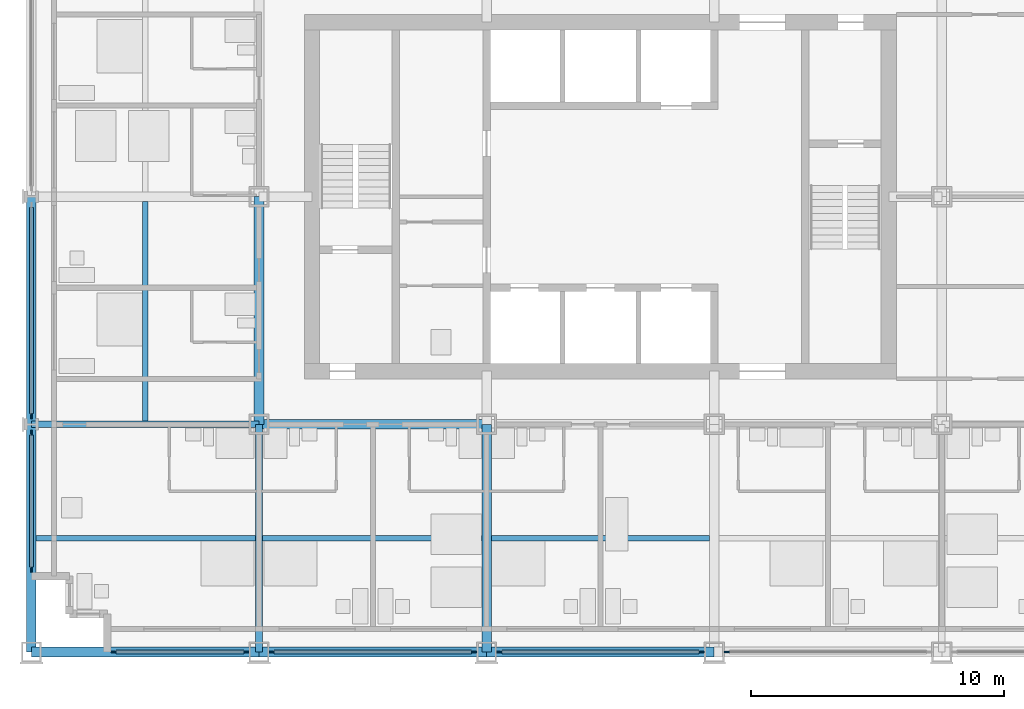
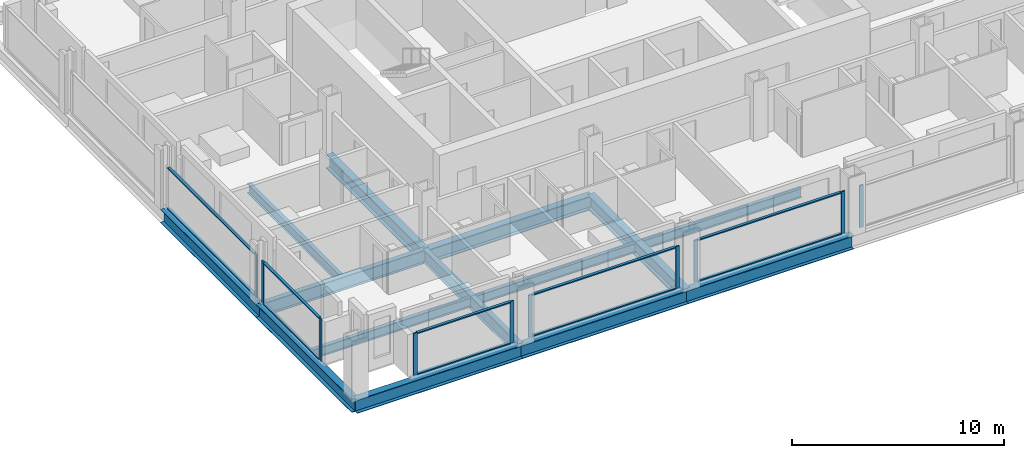
# One storey, part 2 of 18: 20 members, 14 beams, 6 elements without a shape of their own.
"""IFC4 building model written with IfcOpenShell, lengths in metres."""

from ifc_helpers import new_model, si_unit, direction, frame, origin, origin_2d, place, context, subcontext, project, spatial, rectangle, i_section, extrude, material, material_profile, profile_set, type_object, element, aggregate, save


model = new_model("IFC4")

# Units and contexts
model_context = context("Model", 3, precision=1e-05, world=origin(), true_north=direction((0.0, 1.0)))
body_context = subcontext(model_context, "Body", "Model", "MODEL_VIEW")
ifc_project = project(units=[si_unit("LENGTHUNIT", "METRE"), si_unit("AREAUNIT", "SQUARE_METRE"), si_unit("VOLUMEUNIT", "CUBIC_METRE"), si_unit("PLANEANGLEUNIT", "RADIAN"), si_unit("MASSUNIT", "GRAM", prefix="KILO")], contexts=[model_context])

# Site, building, storey
site_placement = place(None, origin())
site = spatial("IfcSite", under=ifc_project, at=site_placement, CompositionType="ELEMENT")
building_placement = place(site_placement, origin())
building = spatial("IfcBuilding", under=site, at=building_placement, Name="Loomwork Tower", CompositionType="ELEMENT")
storey_placement = place(building_placement, frame((0.0, 0.0, 82.39990234375)))
storey = spatial("IfcBuildingStorey", under=building, at=storey_placement, Name="L21", CompositionType="ELEMENT", Elevation=82.39990234375)

# Beams
ifc_material_1 = material(Name="Steel ASTM A992", Category="steel")
ifc_material_profile_1 = material_profile(ifc_material_1, i_section(OverallWidth=0.383544921875, OverallDepth=0.794921875, WebThickness=0.02099609375, FlangeThickness=0.0380859375, at=origin_2d()), Name="W30x235")
ifc_profile_set_1 = profile_set([ifc_material_profile_1], Name="Steel ASTM A992")
beam_type_1 = type_object("IfcBeamType", Name="CORE FLANK GIRDER W30x235", PredefinedType="BEAM", material=ifc_profile_set_1)
for number, where, z_axis, x_axis, name in (
    (1, (9.0, 9.0, -0.597412109375), (1.0, 0.0, 0.0), (0.0, 1.0, 0.0), "Core Flank Girder E/3-E/4 L21"),
    (2, (9.0, 9.0, -0.597412109375), (0.0, 1.0, 0.0), (-1.0, 0.0, 0.0), "Core Flank Girder E/3-F/3 L21"),
    (3, (18.0, 0.0, -0.597412109375), (0.0, 1.0, 0.0), (-1.0, 0.0, 0.0), "Core Flank Girder D/4-E/4 L21"),
):
    element("IfcBeam", number, at=place(storey_placement, frame(where, z_axis=z_axis, x_axis=x_axis)), inside=storey, type_object=beam_type_1, Name=name, PredefinedType="BEAM", context=body_context, shape_type="SweptSolid", body=[
        extrude(i_section(OverallWidth=0.383544921875, OverallDepth=0.794921875, WebThickness=0.02099609375, FlangeThickness=0.0380859375, at=origin_2d()), origin(), (0.0, 0.0, 1.0), 9.0),
    ])
ifc_material_2 = material(Name="Steel ASTM A992", Category="steel")
ifc_material_profile_2 = material_profile(ifc_material_2, i_section(OverallWidth=0.2666015625, OverallDepth=0.761962890625, WebThickness=0.014404296875, FlangeThickness=0.021484375, at=origin_2d()), Name="W30x116")
ifc_profile_set_2 = profile_set([ifc_material_profile_2], Name="Steel ASTM A992")
beam_type_2 = type_object("IfcBeamType", Name="FLOOR GIRDER W30x116", PredefinedType="BEAM", material=ifc_profile_set_2)
for number, where, z_axis, x_axis, name in (
    (4, (0.0, 9.0, -0.580810546875), (1.0, 0.0, 0.0), (0.0, 1.0, 0.0), "Floor Girder E/2-E/3 L21"),
    (5, (9.0, 0.0, -0.580810546875), (0.0, 1.0, 0.0), (-1.0, 0.0, 0.0), "Floor Girder D/3-E/3 L21"),
):
    element("IfcBeam", number, at=place(storey_placement, frame(where, z_axis=z_axis, x_axis=x_axis)), inside=storey, type_object=beam_type_2, Name=name, PredefinedType="BEAM", context=body_context, shape_type="SweptSolid", body=[
        extrude(i_section(OverallWidth=0.2666015625, OverallDepth=0.761962890625, WebThickness=0.014404296875, FlangeThickness=0.021484375, at=origin_2d()), origin(), (0.0, 0.0, 1.0), 9.0),
    ])
ifc_material_3 = material(Name="Steel ASTM A992", Category="steel")
ifc_material_profile_3 = material_profile(ifc_material_3, i_section(OverallWidth=0.2109375, OverallDepth=0.53857421875, WebThickness=0.011474609375, FlangeThickness=0.018798828125, at=origin_2d()), Name="W21x73")
ifc_profile_set_3 = profile_set([ifc_material_profile_3], Name="Steel ASTM A992")
beam_type_3 = type_object("IfcBeamType", Name="FLOOR JOIST W21x73", PredefinedType="JOIST", material=ifc_profile_set_3)
beam_1_placement = place(storey_placement, frame((0.18994140625, 4.5, -0.46923828125), z_axis=(1.0, 0.0, 0.0), x_axis=(0.0, 1.0, 0.0)))
element("IfcBeam", 6, at=beam_1_placement, inside=storey, type_object=beam_type_3, Name="Floor Joist 0.000,4.500-9.000,4.500 L21", PredefinedType="JOIST", context=body_context, shape_type="SweptSolid", body=[
    extrude(i_section(OverallWidth=0.2109375, OverallDepth=0.53857421875, WebThickness=0.011474609375, FlangeThickness=0.018798828125, at=origin_2d()), origin(), (0.0, 0.0, 1.0), 8.677001953125),
])
for number, where, z_axis, x_axis, name in (
    (7, (4.5, 9.133056640625, -0.46923828125), (0.0, 1.0, 0.0), (-1.0, 0.0, 0.0), "Floor Joist 4.500,9.000-4.500,18.000 L21"),
    (8, (9.133056640625, 4.5, -0.46923828125), (1.0, 0.0, 0.0), (0.0, 1.0, 0.0), "Floor Joist 9.000,4.500-18.000,4.500 L21"),
):
    element("IfcBeam", number, at=place(storey_placement, frame(where, z_axis=z_axis, x_axis=x_axis)), inside=storey, type_object=beam_type_3, Name=name, PredefinedType="JOIST", context=body_context, shape_type="SweptSolid", body=[
        extrude(i_section(OverallWidth=0.2109375, OverallDepth=0.53857421875, WebThickness=0.011474609375, FlangeThickness=0.018798828125, at=origin_2d()), origin(), (0.0, 0.0, 1.0), 8.676025390625),
    ])
beam_2_placement = place(storey_placement, frame((18.19091796875, 4.5, -0.46923828125), z_axis=(1.0, 0.0, 0.0), x_axis=(0.0, 1.0, 0.0)))
element("IfcBeam", 9, at=beam_2_placement, inside=storey, type_object=beam_type_3, Name="Floor Joist 18.000,4.500-27.000,4.500 L21", PredefinedType="JOIST", context=body_context, shape_type="SweptSolid", body=[
    extrude(i_section(OverallWidth=0.2109375, OverallDepth=0.53857421875, WebThickness=0.011474609375, FlangeThickness=0.018798828125, at=origin_2d()), origin(), (0.0, 0.0, 1.0), 8.6181640625),
])

# Curtain wall, members
ifc_material_4 = material(Name="Aluminium curtain wall frame", Category="aluminium")
curtain_wall_type = type_object("IfcCurtainWallType", Name="Outer skin glazing hotel", PredefinedType="NOTDEFINED", material=ifc_material_4)
curtain_wall_1_placement = place(storey_placement, origin())
curtain_wall_1 = element("IfcCurtainWall", 10, at=curtain_wall_1_placement, inside=storey, type_object=curtain_wall_type, Name="Outer skin glazing hotel cw/S-0", PredefinedType="NOTDEFINED")
ifc_material_5 = material(Name="Aluminium curtain wall frame", Category="aluminium")
ifc_material_profile_4 = material_profile(ifc_material_5, rectangle(XDim=0.06494140625, YDim=0.199951171875, at=origin_2d()), Name="AL 65x200")
ifc_profile_set_4 = profile_set([ifc_material_profile_4], Name="Aluminium curtain wall frame")
member_type_1 = type_object("IfcMemberType", Name="Outer skin glazing hotel mullion", PredefinedType="MULLION", material=ifc_profile_set_4)
member_1_placement = place(storey_placement, frame((3.25, 0.0, 0.0), z_axis=(0.0, 0.0, 1.0), x_axis=(0.0, 1.0, 0.0)))
member_1 = element("IfcMember", 11, at=member_1_placement, type_object=member_type_1, Name="CW1 mullion 1", PredefinedType="MULLION", context=body_context, shape_type="SweptSolid", body=[
    extrude(rectangle(XDim=0.06494140625, YDim=0.199951171875, at=origin_2d()), origin(), (0.0, 0.0, 1.0), 2.42041015625),
])
member_2_placement = place(storey_placement, frame((8.5, 0.0, 0.0), z_axis=(0.0, 0.0, 1.0), x_axis=(0.0, 1.0, 0.0)))
member_2 = element("IfcMember", 12, at=member_2_placement, type_object=member_type_1, Name="CW1 mullion 2", PredefinedType="MULLION", context=body_context, shape_type="SweptSolid", body=[
    extrude(rectangle(XDim=0.06494140625, YDim=0.199951171875, at=origin_2d()), origin(), (0.0, 0.0, 1.0), 2.42041015625),
])

curtain_wall_2_placement = place(storey_placement, origin())
curtain_wall_2 = element("IfcCurtainWall", 13, at=curtain_wall_2_placement, inside=storey, type_object=curtain_wall_type, Name="Outer skin glazing hotel cw/S-9", PredefinedType="NOTDEFINED")
member_3_placement = place(storey_placement, frame((9.5, 0.0, 0.0), z_axis=(0.0, 0.0, 1.0), x_axis=(0.0, 1.0, 0.0)))
member_3 = element("IfcMember", 14, at=member_3_placement, type_object=member_type_1, Name="CW1 mullion 1", PredefinedType="MULLION", context=body_context, shape_type="SweptSolid", body=[
    extrude(rectangle(XDim=0.06494140625, YDim=0.199951171875, at=origin_2d()), origin(), (0.0, 0.0, 1.0), 2.42041015625),
])
member_4_placement = place(storey_placement, frame((17.5, 0.0, 0.0), z_axis=(0.0, 0.0, 1.0), x_axis=(0.0, 1.0, 0.0)))
member_4 = element("IfcMember", 15, at=member_4_placement, type_object=member_type_1, Name="CW1 mullion 2", PredefinedType="MULLION", context=body_context, shape_type="SweptSolid", body=[
    extrude(rectangle(XDim=0.06494140625, YDim=0.199951171875, at=origin_2d()), origin(), (0.0, 0.0, 1.0), 2.42041015625),
])

curtain_wall_3_placement = place(storey_placement, origin())
curtain_wall_3 = element("IfcCurtainWall", 16, at=curtain_wall_3_placement, inside=storey, type_object=curtain_wall_type, Name="Outer skin glazing hotel cw/S-18", PredefinedType="NOTDEFINED")
member_5_placement = place(storey_placement, frame((18.5, 0.0, 0.0), z_axis=(0.0, 0.0, 1.0), x_axis=(0.0, 1.0, 0.0)))
member_5 = element("IfcMember", 17, at=member_5_placement, type_object=member_type_1, Name="CW1 mullion 1", PredefinedType="MULLION", context=body_context, shape_type="SweptSolid", body=[
    extrude(rectangle(XDim=0.06494140625, YDim=0.199951171875, at=origin_2d()), origin(), (0.0, 0.0, 1.0), 2.42041015625),
])
member_6_placement = place(storey_placement, frame((26.5, 0.0, 0.0), z_axis=(0.0, 0.0, 1.0), x_axis=(0.0, 1.0, 0.0)))
member_6 = element("IfcMember", 18, at=member_6_placement, type_object=member_type_1, Name="CW1 mullion 2", PredefinedType="MULLION", context=body_context, shape_type="SweptSolid", body=[
    extrude(rectangle(XDim=0.06494140625, YDim=0.199951171875, at=origin_2d()), origin(), (0.0, 0.0, 1.0), 2.42041015625),
])

# Curtain wall, member
curtain_wall_4_placement = place(storey_placement, origin())
curtain_wall_4 = element("IfcCurtainWall", 19, at=curtain_wall_4_placement, inside=storey, type_object=curtain_wall_type, Name="Outer skin glazing hotel cw/S-27", PredefinedType="NOTDEFINED")
member_7_placement = place(storey_placement, frame((27.5, 0.0, 0.0), z_axis=(0.0, 0.0, 1.0), x_axis=(0.0, 1.0, 0.0)))
member_7 = element("IfcMember", 20, at=member_7_placement, type_object=member_type_1, Name="CW1 mullion 1", PredefinedType="MULLION", context=body_context, shape_type="SweptSolid", body=[
    extrude(rectangle(XDim=0.06494140625, YDim=0.199951171875, at=origin_2d()), origin(), (0.0, 0.0, 1.0), 2.42041015625),
])
aggregate(curtain_wall_4, [member_7])

# Curtain wall, members
curtain_wall_5_placement = place(storey_placement, origin())
curtain_wall_5 = element("IfcCurtainWall", 21, at=curtain_wall_5_placement, inside=storey, type_object=curtain_wall_type, Name="Outer skin glazing hotel cw/W-0", PredefinedType="NOTDEFINED")
member_8_placement = place(storey_placement, frame((0.0, 8.672607421875, 0.0), z_axis=(0.0, 0.0, 1.0), x_axis=(1.0, 0.0, 0.0)))
member_8 = element("IfcMember", 22, at=member_8_placement, type_object=member_type_1, Name="CW1 mullion 1", PredefinedType="MULLION", context=body_context, shape_type="SweptSolid", body=[
    extrude(rectangle(XDim=0.06494140625, YDim=0.199951171875, at=origin_2d()), origin(), (0.0, 0.0, 1.0), 2.42041015625),
])
member_9_placement = place(storey_placement, frame((0.0, 3.25, 0.0), z_axis=(0.0, 0.0, 1.0), x_axis=(1.0, 0.0, 0.0)))
member_9 = element("IfcMember", 23, at=member_9_placement, type_object=member_type_1, Name="CW1 mullion 2", PredefinedType="MULLION", context=body_context, shape_type="SweptSolid", body=[
    extrude(rectangle(XDim=0.06494140625, YDim=0.199951171875, at=origin_2d()), origin(), (0.0, 0.0, 1.0), 2.42041015625),
])

# Curtain wall, member
curtain_wall_6_placement = place(storey_placement, origin())
curtain_wall_6 = element("IfcCurtainWall", 24, at=curtain_wall_6_placement, inside=storey, type_object=curtain_wall_type, Name="Outer skin glazing hotel cw/W-9", PredefinedType="NOTDEFINED")
member_10_placement = place(storey_placement, frame((0.0, 9.327392578125, 0.0), z_axis=(0.0, 0.0, 1.0), x_axis=(1.0, 0.0, 0.0)))
member_10 = element("IfcMember", 25, at=member_10_placement, type_object=member_type_1, Name="CW1 mullion 2", PredefinedType="MULLION", context=body_context, shape_type="SweptSolid", body=[
    extrude(rectangle(XDim=0.06494140625, YDim=0.199951171875, at=origin_2d()), origin(), (0.0, 0.0, 1.0), 2.42041015625),
])

# Member
ifc_material_6 = material(Name="Aluminium curtain wall frame", Category="aluminium")
ifc_material_profile_5 = material_profile(ifc_material_6, rectangle(XDim=0.14990234375, YDim=0.06494140625, at=origin_2d()), Name="AL 65x150")
ifc_profile_set_5 = profile_set([ifc_material_profile_5], Name="Aluminium curtain wall frame")
member_type_2 = type_object("IfcMemberType", Name="Outer skin glazing hotel transom", PredefinedType="USERDEFINED", material=ifc_profile_set_5)
member_11_placement = place(storey_placement, frame((3.35009765625, 0.0, 0.03271484375), z_axis=(1.0, 0.0, 0.0), x_axis=(0.0, 1.0, 0.0)))
member_11 = element("IfcMember", 26, at=member_11_placement, type_object=member_type_2, Name="CW1 transom 1.1", ObjectType="TRANSOM", PredefinedType="USERDEFINED", context=body_context, shape_type="SweptSolid", body=[
    extrude(rectangle(XDim=0.14990234375, YDim=0.06494140625, at=origin_2d()), origin(), (0.0, 0.0, 1.0), 5.0498046875),
])

member_12_placement = place(storey_placement, frame((3.35009765625, 0.0, 2.3876953125), z_axis=(1.0, 0.0, 0.0), x_axis=(0.0, 1.0, 0.0)))
member_12 = element("IfcMember", 27, at=member_12_placement, type_object=member_type_2, Name="CW1 transom 1.2", ObjectType="TRANSOM", PredefinedType="USERDEFINED", context=body_context, shape_type="SweptSolid", body=[
    extrude(rectangle(XDim=0.14990234375, YDim=0.06494140625, at=origin_2d()), origin(), (0.0, 0.0, 1.0), 5.0498046875),
])

aggregate(curtain_wall_1, [member_1, member_2, member_11, member_12])

member_13_placement = place(storey_placement, frame((9.60009765625, 0.0, 0.03271484375), z_axis=(1.0, 0.0, 0.0), x_axis=(0.0, 1.0, 0.0)))
member_13 = element("IfcMember", 28, at=member_13_placement, type_object=member_type_2, Name="CW1 transom 1.1", ObjectType="TRANSOM", PredefinedType="USERDEFINED", context=body_context, shape_type="SweptSolid", body=[
    extrude(rectangle(XDim=0.14990234375, YDim=0.06494140625, at=origin_2d()), origin(), (0.0, 0.0, 1.0), 7.7998046875),
])

member_14_placement = place(storey_placement, frame((9.60009765625, 0.0, 2.3876953125), z_axis=(1.0, 0.0, 0.0), x_axis=(0.0, 1.0, 0.0)))
member_14 = element("IfcMember", 29, at=member_14_placement, type_object=member_type_2, Name="CW1 transom 1.2", ObjectType="TRANSOM", PredefinedType="USERDEFINED", context=body_context, shape_type="SweptSolid", body=[
    extrude(rectangle(XDim=0.14990234375, YDim=0.06494140625, at=origin_2d()), origin(), (0.0, 0.0, 1.0), 7.7998046875),
])

aggregate(curtain_wall_2, [member_3, member_4, member_13, member_14])

member_15_placement = place(storey_placement, frame((18.60009765625, 0.0, 0.03271484375), z_axis=(1.0, 0.0, 0.0), x_axis=(0.0, 1.0, 0.0)))
member_15 = element("IfcMember", 30, at=member_15_placement, type_object=member_type_2, Name="CW1 transom 1.1", ObjectType="TRANSOM", PredefinedType="USERDEFINED", context=body_context, shape_type="SweptSolid", body=[
    extrude(rectangle(XDim=0.14990234375, YDim=0.06494140625, at=origin_2d()), origin(), (0.0, 0.0, 1.0), 7.7998046875),
])

member_16_placement = place(storey_placement, frame((18.60009765625, 0.0, 2.3876953125), z_axis=(1.0, 0.0, 0.0), x_axis=(0.0, 1.0, 0.0)))
member_16 = element("IfcMember", 31, at=member_16_placement, type_object=member_type_2, Name="CW1 transom 1.2", ObjectType="TRANSOM", PredefinedType="USERDEFINED", context=body_context, shape_type="SweptSolid", body=[
    extrude(rectangle(XDim=0.14990234375, YDim=0.06494140625, at=origin_2d()), origin(), (0.0, 0.0, 1.0), 7.7998046875),
])

aggregate(curtain_wall_3, [member_5, member_6, member_15, member_16])

member_17_placement = place(storey_placement, frame((0.0, 8.57275390625, 0.03271484375), z_axis=(0.0, -1.0, 0.0), x_axis=(1.0, 0.0, 0.0)))
member_17 = element("IfcMember", 32, at=member_17_placement, type_object=member_type_2, Name="CW1 transom 1.1", ObjectType="TRANSOM", PredefinedType="USERDEFINED", context=body_context, shape_type="SweptSolid", body=[
    extrude(rectangle(XDim=0.14990234375, YDim=0.06494140625, at=origin_2d()), origin(), (0.0, 0.0, 1.0), 5.22265625),
])

member_18_placement = place(storey_placement, frame((0.0, 8.57275390625, 2.3876953125), z_axis=(0.0, -1.0, 0.0), x_axis=(1.0, 0.0, 0.0)))
member_18 = element("IfcMember", 33, at=member_18_placement, type_object=member_type_2, Name="CW1 transom 1.2", ObjectType="TRANSOM", PredefinedType="USERDEFINED", context=body_context, shape_type="SweptSolid", body=[
    extrude(rectangle(XDim=0.14990234375, YDim=0.06494140625, at=origin_2d()), origin(), (0.0, 0.0, 1.0), 5.22265625),
])

aggregate(curtain_wall_5, [member_8, member_9, member_17, member_18])

member_19_placement = place(storey_placement, frame((0.0, 17.57275390625, 0.03271484375), z_axis=(0.0, -1.0, 0.0), x_axis=(1.0, 0.0, 0.0)))
member_19 = element("IfcMember", 34, at=member_19_placement, type_object=member_type_2, Name="CW1 transom 1.1", ObjectType="TRANSOM", PredefinedType="USERDEFINED", context=body_context, shape_type="SweptSolid", body=[
    extrude(rectangle(XDim=0.14990234375, YDim=0.06494140625, at=origin_2d()), origin(), (0.0, 0.0, 1.0), 8.1455078125),
])

member_20_placement = place(storey_placement, frame((0.0, 17.57275390625, 2.3876953125), z_axis=(0.0, -1.0, 0.0), x_axis=(1.0, 0.0, 0.0)))
member_20 = element("IfcMember", 35, at=member_20_placement, type_object=member_type_2, Name="CW1 transom 1.2", ObjectType="TRANSOM", PredefinedType="USERDEFINED", context=body_context, shape_type="SweptSolid", body=[
    extrude(rectangle(XDim=0.14990234375, YDim=0.06494140625, at=origin_2d()), origin(), (0.0, 0.0, 1.0), 8.1455078125),
])

aggregate(curtain_wall_6, [member_10, member_19, member_20])

# Beams
ifc_material_7 = material(Name="Steel ASTM A992", Category="steel")
ifc_material_profile_6 = material_profile(ifc_material_7, i_section(OverallWidth=0.381103515625, OverallDepth=0.77978515625, WebThickness=0.01806640625, FlangeThickness=0.0302734375, at=origin_2d()), Name="W30x191")
ifc_profile_set_6 = profile_set([ifc_material_profile_6], Name="Steel ASTM A992")
beam_type_4 = type_object("IfcBeamType", Name="SPANDREL GIRDER W30x191", PredefinedType="SPANDREL", material=ifc_profile_set_6)
for number, where, z_axis, x_axis, name in (
    (36, (0.0, 0.0, -0.58984375), (1.0, 0.0, 0.0), (0.0, 1.0, 0.0), "Spandrel Girder D/2-D/3 L21"),
    (37, (9.0, 0.0, -0.58984375), (1.0, 0.0, 0.0), (0.0, 1.0, 0.0), "Spandrel Girder D/3-D/4 L21"),
    (38, (18.0, 0.0, -0.58984375), (1.0, 0.0, 0.0), (0.0, 1.0, 0.0), "Spandrel Girder D/4-D/5 L21"),
    (39, (0.0, 0.0, -0.58984375), (0.0, 1.0, 0.0), (-1.0, 0.0, 0.0), "Spandrel Girder D/2-E/2 L21"),
    (40, (0.0, 9.0, -0.58984375), (0.0, 1.0, 0.0), (-1.0, 0.0, 0.0), "Spandrel Girder E/2-F/2 L21"),
):
    element("IfcBeam", number, at=place(storey_placement, frame(where, z_axis=z_axis, x_axis=x_axis)), inside=storey, type_object=beam_type_4, Name=name, PredefinedType="SPANDREL", context=body_context, shape_type="SweptSolid", body=[
        extrude(i_section(OverallWidth=0.381103515625, OverallDepth=0.77978515625, WebThickness=0.01806640625, FlangeThickness=0.0302734375, at=origin_2d()), origin(), (0.0, 0.0, 1.0), 9.0),
    ])

save(model, "model.ifc")
